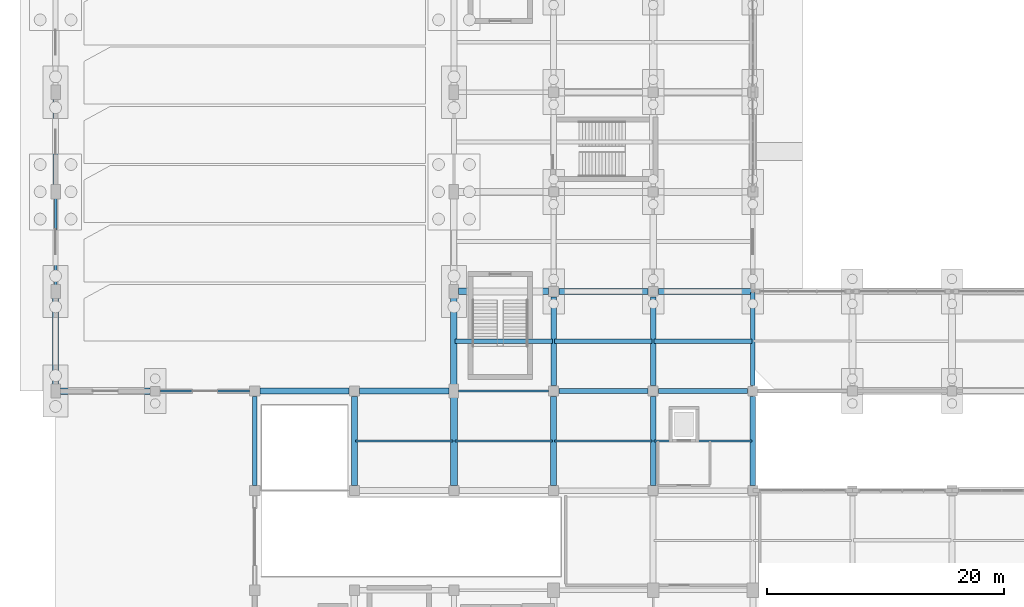
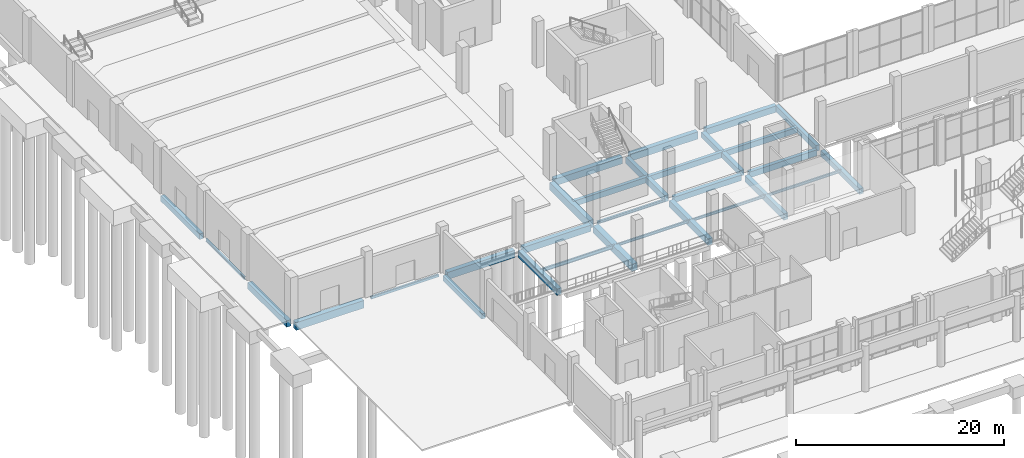
# One storey, part 24 of 82: 30 beams.
"""IFC4 building model written with IfcOpenShell, lengths in metres."""

from ifc_helpers import new_model, si_unit, derived_unit, direction, frame, origin, origin_2d, place, context, subcontext, project, spatial, rectangle, hollow_rectangle, i_section, extrude, material, material_profile, profile_set, type_object, element, save


model = new_model("IFC4")

# Units and contexts
model_context = context("Model", 3, precision=1e-05, world=origin(), true_north=direction((0.0, 1.0)))
body_context = subcontext(model_context, "Body", "Model", "MODEL_VIEW")
ifc_project = project(units=[si_unit("LENGTHUNIT", "METRE"), si_unit("AREAUNIT", "SQUARE_METRE"), si_unit("VOLUMEUNIT", "CUBIC_METRE"), si_unit("PLANEANGLEUNIT", "RADIAN"), si_unit("MASSUNIT", "GRAM", prefix="KILO"), derived_unit("THERMALTRANSMITTANCEUNIT", [(si_unit("POWERUNIT", "WATT"), 1), (si_unit("LENGTHUNIT", "METRE"), -2), (si_unit("THERMODYNAMICTEMPERATUREUNIT", "KELVIN"), -1)])], contexts=[model_context])

# Site, building, storey
site_placement = place(None, origin())
site = spatial("IfcSite", under=ifc_project, at=site_placement, CompositionType="ELEMENT")
building_placement = place(site_placement, origin())
building = spatial("IfcBuilding", under=site, at=building_placement, Name="Barrovel Congress Hotel", CompositionType="ELEMENT")
storey_placement = place(building_placement, origin())
storey = spatial("IfcBuildingStorey", under=building, at=storey_placement, Name="L00", CompositionType="ELEMENT", Elevation=0.0)

# Beams
ifc_material_1 = material(Name="Concrete C40", Category="concrete")
ifc_material_profile_1 = material_profile(ifc_material_1, rectangle(XDim=0.35009765625, YDim=0.64990234375, at=origin_2d()), Name="RC350x650")
ifc_profile_set_1 = profile_set([ifc_material_profile_1], Name="Concrete C40")
beam_type_1 = type_object("IfcBeamType", Name="BM-RC350x650", PredefinedType="JOIST", material=ifc_profile_set_1)
for number, where, z_axis, x_axis, name in (
    (1, (33.679931640625, 42.0, -0.64501953125), (1.0, 0.0, 0.0), (0.0, 1.0, 0.0), "JST:L00:33.6:42.0"),
    (2, (42.080078125, 42.0, -0.64501953125), (1.0, 0.0, 0.0), (0.0, 1.0, 0.0), "JST:L00:42.0:42.0"),
    (3, (50.47998046875, 42.0, -0.64501953125), (1.0, 0.0, 0.0), (0.0, 1.0, 0.0), "JST:L00:50.4:42.0"),
):
    element("IfcBeam", number, at=place(storey_placement, frame(where, z_axis=z_axis, x_axis=x_axis)), inside=storey, type_object=beam_type_1, Name=name, PredefinedType="JOIST", context=body_context, shape_type="SweptSolid", body=[
        extrude(rectangle(XDim=0.35009765625, YDim=0.64990234375, at=origin_2d()), origin(), (0.0, 0.0, 1.0), 8.239990234375),
    ])
ifc_material_profile_2 = material_profile(ifc_material_1, rectangle(XDim=0.39990234375, YDim=0.60009765625, at=origin_2d()), Name="RC400x600")
ifc_profile_set_2 = profile_set([ifc_material_profile_2], Name="Concrete C40")
beam_type_2 = type_object("IfcBeamType", Name="BM-RC400x600", PredefinedType="BEAM", material=ifc_profile_set_2)
beam_1_placement = place(storey_placement, frame((16.800048828125, 29.85009765625, -0.6201171875), z_axis=(0.0, 1.0, 0.0), x_axis=(-1.0, 0.0, 0.0)))
element("IfcBeam", 4, at=beam_1_placement, inside=storey, type_object=beam_type_2, Name="BMY:L00:16.8:29.4-37.8", PredefinedType="BEAM", context=body_context, shape_type="SweptSolid", body=[
    extrude(rectangle(XDim=0.39990234375, YDim=0.60009765625, at=origin_2d()), origin(), (0.0, 0.0, 1.0), 7.5),
])
ifc_material_profile_3 = material_profile(ifc_material_1, rectangle(XDim=0.39990234375, YDim=0.699951171875, at=origin_2d()), Name="RC400x700")
ifc_profile_set_3 = profile_set([ifc_material_profile_3], Name="Concrete C40")
beam_type_3 = type_object("IfcBeamType", Name="BM-RC400x700", PredefinedType="BEAM", material=ifc_profile_set_3)
beam_2_placement = place(storey_placement, frame((50.85009765625, 37.800048828125, -0.669921875), z_axis=(1.0, 0.0, 0.0), x_axis=(0.0, 1.0, 0.0)))
element("IfcBeam", 5, at=beam_2_placement, inside=storey, type_object=beam_type_3, Name="BMX:L00:37.8:50.4-58.8", PredefinedType="BEAM", context=body_context, shape_type="SweptSolid", body=[
    extrude(rectangle(XDim=0.39990234375, YDim=0.699951171875, at=origin_2d()), origin(), (0.0, 0.0, 1.0), 7.5),
])
beam_3_placement = place(storey_placement, frame((58.800048828125, 38.25, -0.669921875), z_axis=(0.0, 1.0, 0.0), x_axis=(-1.0, 0.0, 0.0)))
element("IfcBeam", 6, at=beam_3_placement, inside=storey, type_object=beam_type_3, Name="BMY:L00:58.8:37.8-46.2", PredefinedType="BEAM", context=body_context, shape_type="SweptSolid", body=[
    extrude(rectangle(XDim=0.39990234375, YDim=0.699951171875, at=origin_2d()), origin(), (0.0, 0.0, 1.0), 7.840576171875),
])
ifc_material_profile_4 = material_profile(ifc_material_1, rectangle(XDim=0.449951171875, YDim=0.64990234375, at=origin_2d()), Name="RC450x650")
ifc_profile_set_4 = profile_set([ifc_material_profile_4], Name="Concrete C40")
beam_type_4 = type_object("IfcBeamType", Name="BM-RC450x650", PredefinedType="BEAM", material=ifc_profile_set_4)
for number, where, z_axis, x_axis, name in (
    (7, (42.449951171875, 37.800048828125, -0.64501953125), (1.0, 0.0, 0.0), (0.0, 1.0, 0.0), "BMX:L00:37.8:42.0-50.4"),
    (8, (0.0, 55.050048828125, -0.64501953125), (0.0, 1.0, 0.0), (-1.0, 0.0, 0.0), "BMY:L00:0.0:54.6-63.0"),
    (9, (50.39990234375, 38.25, -0.64501953125), (0.0, 1.0, 0.0), (-1.0, 0.0, 0.0), "BMY:L00:50.4:37.8-46.2"),
    (10, (58.800048828125, 29.85009765625, -0.64501953125), (0.0, 1.0, 0.0), (-1.0, 0.0, 0.0), "BMY:L00:58.8:29.4-37.8"),
):
    element("IfcBeam", number, at=place(storey_placement, frame(where, z_axis=z_axis, x_axis=x_axis)), inside=storey, type_object=beam_type_4, Name=name, PredefinedType="BEAM", context=body_context, shape_type="SweptSolid", body=[
        extrude(rectangle(XDim=0.449951171875, YDim=0.64990234375, at=origin_2d()), origin(), (0.0, 0.0, 1.0), 7.5),
    ])
ifc_material_profile_5 = material_profile(ifc_material_1, rectangle(XDim=0.449951171875, YDim=0.75, at=origin_2d()), Name="RC450x750")
ifc_profile_set_5 = profile_set([ifc_material_profile_5], Name="Concrete C40")
beam_type_5 = type_object("IfcBeamType", Name="BM-RC450x750", PredefinedType="BEAM", material=ifc_profile_set_5)
for number, where, z_axis, x_axis, name in (
    (11, (42.0, 38.25, -0.695068359375), (0.0, 1.0, 0.0), (-1.0, 0.0, 0.0), "BMY:L00:42.0:37.8-46.2"),
    (12, (50.39990234375, 29.85009765625, -0.695068359375), (0.0, 1.0, 0.0), (-1.0, 0.0, 0.0), "BMY:L00:50.4:29.4-37.8"),
):
    element("IfcBeam", number, at=place(storey_placement, frame(where, z_axis=z_axis, x_axis=x_axis)), inside=storey, type_object=beam_type_5, Name=name, PredefinedType="BEAM", context=body_context, shape_type="SweptSolid", body=[
        extrude(rectangle(XDim=0.449951171875, YDim=0.75, at=origin_2d()), origin(), (0.0, 0.0, 1.0), 7.5),
    ])
ifc_material_profile_6 = material_profile(ifc_material_1, rectangle(XDim=0.5, YDim=0.75, at=origin_2d()), Name="RC500x750")
ifc_profile_set_6 = profile_set([ifc_material_profile_6], Name="Concrete C40")
beam_type_6 = type_object("IfcBeamType", Name="BM-RC500x750", PredefinedType="BEAM", material=ifc_profile_set_6)
beam_4_placement = place(storey_placement, frame((25.64990234375, 37.800048828125, -0.695068359375), z_axis=(1.0, 0.0, 0.0), x_axis=(0.0, 1.0, 0.0)))
element("IfcBeam", 13, at=beam_4_placement, inside=storey, type_object=beam_type_6, Name="BMX:L00:37.8:25.2-33.6", PredefinedType="BEAM", context=body_context, shape_type="SweptSolid", body=[
    extrude(rectangle(XDim=0.5, YDim=0.75, at=origin_2d()), origin(), (0.0, 0.0, 1.0), 7.550048828125),
])
beam_5_placement = place(storey_placement, frame((50.85009765625, 46.199951171875, -0.695068359375), z_axis=(1.0, 0.0, 0.0), x_axis=(0.0, 1.0, 0.0)))
element("IfcBeam", 14, at=beam_5_placement, inside=storey, type_object=beam_type_6, Name="BMX:L00:46.2:50.4-58.8", PredefinedType="BEAM", context=body_context, shape_type="SweptSolid", body=[
    extrude(rectangle(XDim=0.5, YDim=0.75, at=origin_2d()), origin(), (0.0, 0.0, 1.0), 7.84033203125),
])
for number, where, z_axis, x_axis, name in (
    (15, (0.0, 38.25, -0.695068359375), (0.0, 1.0, 0.0), (-1.0, 0.0, 0.0), "BMY:L00:0.0:37.8-46.2"),
    (16, (25.199951171875, 29.85009765625, -0.695068359375), (0.0, 1.0, 0.0), (-1.0, 0.0, 0.0), "BMY:L00:25.2:29.4-37.8"),
    (17, (42.0, 29.85009765625, -0.695068359375), (0.0, 1.0, 0.0), (-1.0, 0.0, 0.0), "BMY:L00:42.0:29.4-37.8"),
):
    element("IfcBeam", number, at=place(storey_placement, frame(where, z_axis=z_axis, x_axis=x_axis)), inside=storey, type_object=beam_type_6, Name=name, PredefinedType="BEAM", context=body_context, shape_type="SweptSolid", body=[
        extrude(rectangle(XDim=0.5, YDim=0.75, at=origin_2d()), origin(), (0.0, 0.0, 1.0), 7.5),
    ])
ifc_material_profile_7 = material_profile(ifc_material_1, rectangle(XDim=0.5, YDim=0.85009765625, at=origin_2d()), Name="RC500x850")
ifc_profile_set_7 = profile_set([ifc_material_profile_7], Name="Concrete C40")
beam_type_7 = type_object("IfcBeamType", Name="BM-RC500x850", PredefinedType="BEAM", material=ifc_profile_set_7)
for number, where, z_axis, x_axis, name in (
    (18, (17.25, 37.800048828125, -0.7451171875), (1.0, 0.0, 0.0), (0.0, 1.0, 0.0), "BMX:L00:37.8:16.8-25.2"),
    (19, (42.449951171875, 46.199951171875, -0.7451171875), (1.0, 0.0, 0.0), (0.0, 1.0, 0.0), "BMX:L00:46.2:42.0-50.4"),
):
    element("IfcBeam", number, at=place(storey_placement, frame(where, z_axis=z_axis, x_axis=x_axis)), inside=storey, type_object=beam_type_7, Name=name, PredefinedType="BEAM", context=body_context, shape_type="SweptSolid", body=[
        extrude(rectangle(XDim=0.5, YDim=0.85009765625, at=origin_2d()), origin(), (0.0, 0.0, 1.0), 7.5),
    ])
ifc_material_profile_8 = material_profile(ifc_material_1, rectangle(XDim=0.550048828125, YDim=0.800048828125, at=origin_2d()), Name="RC550x800")
ifc_profile_set_8 = profile_set([ifc_material_profile_8], Name="Concrete C40")
beam_type_8 = type_object("IfcBeamType", Name="BM-RC550x800", PredefinedType="BEAM", material=ifc_profile_set_8)
beam_6_placement = place(storey_placement, frame((34.0, 46.199951171875, -0.719970703125), z_axis=(1.0, 0.0, 0.0), x_axis=(0.0, 1.0, 0.0)))
element("IfcBeam", 20, at=beam_6_placement, inside=storey, type_object=beam_type_8, Name="BMX:L00:46.2:33.6-42.0", PredefinedType="BEAM", context=body_context, shape_type="SweptSolid", body=[
    extrude(rectangle(XDim=0.550048828125, YDim=0.800048828125, at=origin_2d()), origin(), (0.0, 0.0, 1.0), 7.550048828125),
])
ifc_material_profile_9 = material_profile(ifc_material_1, rectangle(XDim=0.550048828125, YDim=0.89990234375, at=origin_2d()), Name="RC550x900")
ifc_profile_set_9 = profile_set([ifc_material_profile_9], Name="Concrete C40")
beam_type_9 = type_object("IfcBeamType", Name="BM-RC550x900", PredefinedType="BEAM", material=ifc_profile_set_9)
beam_7_placement = place(storey_placement, frame((0.39990234375, 37.800048828125, -0.77001953125), z_axis=(1.0, 0.0, 0.0), x_axis=(0.0, 1.0, 0.0)))
element("IfcBeam", 21, at=beam_7_placement, inside=storey, type_object=beam_type_9, Name="BMX:L00:37.8:0.0-8.4", PredefinedType="BEAM", context=body_context, shape_type="SweptSolid", body=[
    extrude(rectangle(XDim=0.550048828125, YDim=0.89990234375, at=origin_2d()), origin(), (0.0, 0.0, 1.0), 7.550048828125),
])
beam_8_placement = place(storey_placement, frame((33.60009765625, 38.25, -0.77001953125), z_axis=(0.0, 1.0, 0.0), x_axis=(-1.0, 0.0, 0.0)))
element("IfcBeam", 22, at=beam_8_placement, inside=storey, type_object=beam_type_9, Name="BMY:L00:33.6:37.8-46.2", PredefinedType="BEAM", context=body_context, shape_type="SweptSolid", body=[
    extrude(rectangle(XDim=0.550048828125, YDim=0.89990234375, at=origin_2d()), origin(), (0.0, 0.0, 1.0), 7.5),
])
ifc_material_profile_10 = material_profile(ifc_material_1, rectangle(XDim=0.60009765625, YDim=0.85009765625, at=origin_2d()), Name="RC600x850")
ifc_profile_set_10 = profile_set([ifc_material_profile_10], Name="Concrete C40")
beam_type_10 = type_object("IfcBeamType", Name="BM-RC600x850", PredefinedType="BEAM", material=ifc_profile_set_10)
beam_9_placement = place(storey_placement, frame((33.60009765625, 29.85009765625, -0.7451171875), z_axis=(0.0, 1.0, 0.0), x_axis=(-1.0, 0.0, 0.0)))
element("IfcBeam", 23, at=beam_9_placement, inside=storey, type_object=beam_type_10, Name="BMY:L00:33.6:29.4-37.8", PredefinedType="BEAM", context=body_context, shape_type="SweptSolid", body=[
    extrude(rectangle(XDim=0.60009765625, YDim=0.85009765625, at=origin_2d()), origin(), (0.0, 0.0, 1.0), 7.5),
])
ifc_material_2 = material(Name="Steel ASTM A500 Grade C", Category="steel")
ifc_material_profile_11 = material_profile(ifc_material_2, hollow_rectangle(XDim=0.203125, YDim=0.3046875, WallThickness=0.01171875, InnerFilletRadius=0.01171875, OuterFilletRadius=0.023681640625, at=origin_2d()), Name="HSS305x203x12.7")
ifc_profile_set_11 = profile_set([ifc_material_profile_11], Name="Steel ASTM A500 Grade C")
beam_type_11 = type_object("IfcBeamType", Name="SBM-HSS305x203x12.7", PredefinedType="SPANDREL", material=ifc_profile_set_11)
beam_10_placement = place(storey_placement, frame((8.85009765625, 37.800048828125, -0.472412109375), z_axis=(1.0, 0.0, 0.0), x_axis=(0.0, 1.0, 0.0)))
element("IfcBeam", 24, at=beam_10_placement, inside=storey, type_object=beam_type_11, Name="BMX:L00:37.8:8.4-16.8", PredefinedType="SPANDREL", context=body_context, shape_type="SweptSolid", body=[
    extrude(hollow_rectangle(XDim=0.203125, YDim=0.3046875, WallThickness=0.01171875, InnerFilletRadius=0.01171875, OuterFilletRadius=0.023681640625, at=origin_2d()), origin(), (0.0, 0.0, 1.0), 7.5),
])
ifc_material_3 = material(Name="Steel ASTM A992 Grade 50", Category="steel")
ifc_material_profile_12 = material_profile(ifc_material_3, i_section(OverallWidth=0.1650390625, OverallDepth=0.31005859375, WebThickness=0.005859375, FlangeThickness=0.009765625, FilletRadius=0.010986328125, at=origin_2d()), Name="W310x39")
ifc_profile_set_12 = profile_set([ifc_material_profile_12], Name="Steel ASTM A992 Grade 50")
beam_type_12 = type_object("IfcBeamType", Name="SBM-W310x39", PredefinedType="JOIST", material=ifc_profile_set_12)
for number, where, z_axis, x_axis, name in (
    (25, (33.679931640625, 33.60009765625, -0.47509765625), (1.0, 0.0, 0.0), (0.0, 1.0, 0.0), "JST:L00:33.6:33.6"),
    (26, (42.080078125, 33.60009765625, -0.47509765625), (1.0, 0.0, 0.0), (0.0, 1.0, 0.0), "JST:L00:42.0:33.6"),
    (27, (50.47998046875, 33.60009765625, -0.47509765625), (1.0, 0.0, 0.0), (0.0, 1.0, 0.0), "JST:L00:50.4:33.6"),
):
    element("IfcBeam", number, at=place(storey_placement, frame(where, z_axis=z_axis, x_axis=x_axis)), inside=storey, type_object=beam_type_12, Name=name, PredefinedType="JOIST", context=body_context, shape_type="SweptSolid", body=[
        extrude(i_section(OverallWidth=0.1650390625, OverallDepth=0.31005859375, WebThickness=0.005859375, FlangeThickness=0.009765625, FilletRadius=0.010986328125, at=origin_2d()), origin(), (0.0, 0.0, 1.0), 8.239990234375),
    ])
ifc_material_profile_13 = material_profile(ifc_material_3, i_section(OverallWidth=0.205078125, OverallDepth=0.31005859375, WebThickness=0.009521484375, FlangeThickness=0.016357421875, FilletRadius=0.012939453125, at=origin_2d()), Name="W310x74")
ifc_profile_set_13 = profile_set([ifc_material_profile_13], Name="Steel ASTM A992 Grade 50")
beam_type_13 = type_object("IfcBeamType", Name="SBM-W310x74", PredefinedType="SPANDREL", material=ifc_profile_set_13)
beam_11_placement = place(storey_placement, frame((34.0, 37.800048828125, -0.47509765625), z_axis=(1.0, 0.0, 0.0), x_axis=(0.0, 1.0, 0.0)))
element("IfcBeam", 28, at=beam_11_placement, inside=storey, type_object=beam_type_13, Name="BMX:L00:37.8:33.6-42.0", PredefinedType="SPANDREL", context=body_context, shape_type="SweptSolid", body=[
    extrude(i_section(OverallWidth=0.205078125, OverallDepth=0.31005859375, WebThickness=0.009521484375, FlangeThickness=0.016357421875, FilletRadius=0.012939453125, at=origin_2d()), origin(), (0.0, 0.0, 1.0), 7.550048828125),
])
beam_12_placement = place(storey_placement, frame((0.0, 46.64990234375, -0.47509765625), z_axis=(0.0, 1.0, 0.0), x_axis=(-1.0, 0.0, 0.0)))
element("IfcBeam", 29, at=beam_12_placement, inside=storey, type_object=beam_type_13, Name="BMY:L00:0.0:46.2-54.6", PredefinedType="SPANDREL", context=body_context, shape_type="SweptSolid", body=[
    extrude(i_section(OverallWidth=0.205078125, OverallDepth=0.31005859375, WebThickness=0.009521484375, FlangeThickness=0.016357421875, FilletRadius=0.012939453125, at=origin_2d()), origin(), (0.0, 0.0, 1.0), 7.5),
])
ifc_material_profile_14 = material_profile(ifc_material_3, i_section(OverallWidth=0.177001953125, OverallDepth=0.403076171875, WebThickness=0.007568359375, FlangeThickness=0.010986328125, FilletRadius=0.011962890625, at=origin_2d()), Name="W410x53")
ifc_profile_set_14 = profile_set([ifc_material_profile_14], Name="Steel ASTM A992 Grade 50")
beam_type_14 = type_object("IfcBeamType", Name="SBM-W410x53", PredefinedType="JOIST", material=ifc_profile_set_14)
beam_13_placement = place(storey_placement, frame((25.280029296875, 33.60009765625, -0.521484375), z_axis=(1.0, 0.0, 0.0), x_axis=(0.0, 1.0, 0.0)))
element("IfcBeam", 30, at=beam_13_placement, inside=storey, type_object=beam_type_14, Name="JST:L00:25.2:33.6", PredefinedType="JOIST", context=body_context, shape_type="SweptSolid", body=[
    extrude(i_section(OverallWidth=0.177001953125, OverallDepth=0.403076171875, WebThickness=0.007568359375, FlangeThickness=0.010986328125, FilletRadius=0.011962890625, at=origin_2d()), origin(), (0.0, 0.0, 1.0), 8.239990234375),
])

save(model, "model.ifc")
